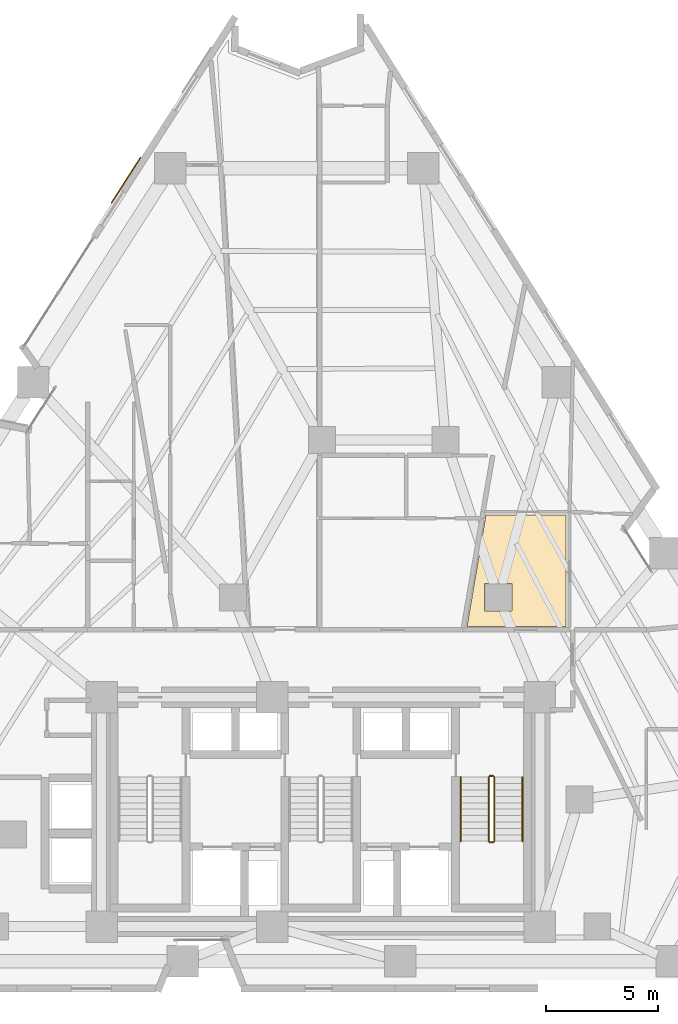
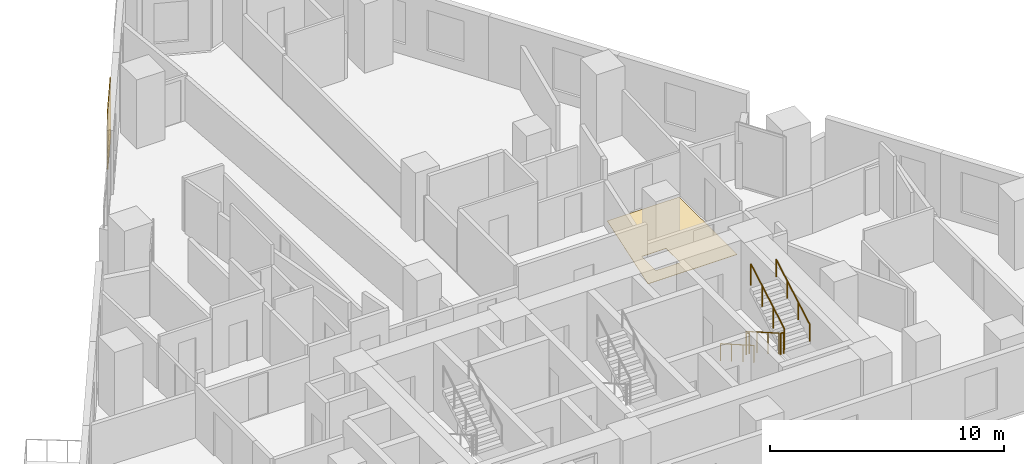
# One storey, part 13 of 14: 6 railings, 2 coverings.
"""IFC4 building model written with IfcOpenShell, lengths in metres."""

from ifc_helpers import new_model, si_unit, direction, frame, origin, origin_2d, place, context, subcontext, project, spatial, polyline, rectangle, circle, outline, extrude, material, layer, layer_set, type_object, element, save


model = new_model("IFC4")

# Units and contexts
model_context = context("Model", 3, precision=1e-05, world=origin(), true_north=direction((0.0, 1.0)))
body_context = subcontext(model_context, "Body", "Model", "MODEL_VIEW")
ifc_project = project(units=[si_unit("LENGTHUNIT", "METRE"), si_unit("AREAUNIT", "SQUARE_METRE"), si_unit("VOLUMEUNIT", "CUBIC_METRE"), si_unit("PLANEANGLEUNIT", "RADIAN"), si_unit("MASSUNIT", "GRAM", prefix="KILO")], contexts=[model_context])

# Site, building, storey
site_placement = place(None, origin())
site = spatial("IfcSite", under=ifc_project, at=site_placement, CompositionType="ELEMENT")
building_placement = place(site_placement, origin())
building = spatial("IfcBuilding", under=site, at=building_placement, Name="Almagre Mirador Tower", CompositionType="ELEMENT")
storey_placement = place(building_placement, frame((0.0, 0.0, 67.800048828125)))
storey = spatial("IfcBuildingStorey", under=building, at=storey_placement, Name="L16", CompositionType="ELEMENT", Elevation=67.800048828125)

# Coverings
ifc_material_1 = material(Name="Almagre terracotta architectural cladding", Category="masonry")
ifc_layer_1 = layer(ifc_material_1, 0.044921875)
ifc_layer_set_1 = layer_set([ifc_layer_1], Name="Almagre terracotta architectural cladding")
covering_type_1 = type_object("IfcCoveringType", Name="COV-CLAD-ALMAGRE", PredefinedType="CLADDING", material=ifc_layer_set_1)
covering_1_placement = place(storey_placement, frame((28.63525390625, 37.757568359375, 0.10009765625), z_axis=(0.0, 0.0, 1.0), x_axis=(0.539520453445, 0.841972493799, 0.0)))
element("IfcCovering", 1, at=covering_1_placement, inside=storey, type_object=covering_type_1, Name="L16 almagre terracotta pier cladding", PredefinedType="CLADDING", context=body_context, shape_type="SweptSolid", body=[
    extrude(rectangle(XDim=2.39990234375, YDim=0.044921875, at=origin_2d()), origin(), (0.0, 0.0, 1.0), 3.14990234375),
])
ifc_material_2 = material(Name="Engineered white oak flooring", Category="wood")
ifc_layer_2 = layer(ifc_material_2, 0.01806640625)
ifc_layer_set_2 = layer_set([ifc_layer_2], Name="Engineered white oak flooring")
covering_type_2 = type_object("IfcCoveringType", Name="COV-FLR-OAK-18", PredefinedType="FLOORING", material=ifc_layer_set_2)
covering_2_placement = place(storey_placement, origin())
element("IfcCovering", 2, at=covering_2_placement, inside=storey, type_object=covering_type_2, Name="L16 Unit L16-J Living and Dining Room finish flooring", PredefinedType="FLOORING", context=body_context, shape_type="SweptSolid", body=[
    extrude(outline(polyline([(44.64697265625, 22.85009765625), (48.2099609375, 22.85009765625), (48.2099609375, 17.89990234375), (43.80810546875, 17.89990234375), (44.64697265625, 22.85009765625)]), holes=[polyline([(44.594970703125, 18.594970703125), (44.594970703125, 19.804931640625), (45.804931640625, 19.804931640625), (45.804931640625, 18.594970703125), (44.594970703125, 18.594970703125)])]), origin(), (0.0, 0.0, 1.0), 0.01806640625),
])

# Railings
ifc_material_3 = material(Name="Painted galvanized steel", Category="steel")
railing_type_1 = type_object("IfcRailingType", Name="RLG-GRD-1100", PredefinedType="GUARDRAIL", material=ifc_material_3)
railing_1_placement = place(storey_placement, frame((44.77490234375, 11.199951171875, 0.16357421875)))
element("IfcRailing", 3, at=railing_1_placement, inside=storey, type_object=railing_type_1, Name="L16 ST-3 stair guard 1", PredefinedType="GUARDRAIL", context=body_context, shape_type="SweptSolid", body=[
    extrude(circle(Radius=0.02392578125, at=origin_2d()), frame((0.0, 0.0, 1.09619140625), z_axis=(0.0, -0.867194282975, 0.497969954491), x_axis=(1.0, 0.0, 0.0)), (0.0, 0.0, 1.0), 3.286376953125),
    extrude(circle(Radius=0.02099609375, at=origin_2d()), origin(), (0.0, 0.0, 1.0), 1.072021484375),
    extrude(circle(Radius=0.02099609375, at=origin_2d()), frame((0.0, -0.949951171875, 0.54541015625)), (0.0, 0.0, 1.0), 1.072021484375),
    extrude(circle(Radius=0.02099609375, at=origin_2d()), frame((0.0, -1.89990234375, 1.091064453125)), (0.0, 0.0, 1.0), 1.072021484375),
    extrude(circle(Radius=0.02099609375, at=origin_2d()), frame((0.0, -2.849853515625, 1.636474609375)), (0.0, 0.0, 1.0), 1.072021484375),
])
railing_2_placement = place(storey_placement, frame((44.824951171875, 8.300048828125, 1.800048828125)))
element("IfcRailing", 4, at=railing_2_placement, inside=storey, type_object=railing_type_1, Name="L16 ST-3 stair guard 2", PredefinedType="GUARDRAIL", context=body_context, shape_type="SweptSolid", body=[
    extrude(circle(Radius=0.02392578125, at=origin_2d()), frame((0.0, 0.0, 1.09619140625), z_axis=(1.0, 0.0, 0.0), x_axis=(0.0, 1.0, 0.0)), (0.0, 0.0, 1.0), 0.150146484375),
    extrude(circle(Radius=0.02099609375, at=origin_2d()), origin(), (0.0, 0.0, 1.0), 1.072021484375),
    extrude(circle(Radius=0.02099609375, at=origin_2d()), frame((0.150146484375, 0.0, 0.0)), (0.0, 0.0, 1.0), 1.072021484375),
])
railing_3_placement = place(storey_placement, frame((45.02490234375, 8.35009765625, 1.963623046875)))
element("IfcRailing", 5, at=railing_3_placement, inside=storey, type_object=railing_type_1, Name="L16 ST-3 stair guard 3", PredefinedType="GUARDRAIL", context=body_context, shape_type="SweptSolid", body=[
    extrude(circle(Radius=0.02392578125, at=origin_2d()), frame((0.0, 0.0, 1.09619140625), z_axis=(0.0, 0.867226363773, 0.497914082927), x_axis=(-1.0, 0.0, 0.0)), (0.0, 0.0, 1.0), 3.2861328125),
    extrude(circle(Radius=0.02099609375, at=origin_2d()), origin(), (0.0, 0.0, 1.0), 1.072021484375),
    extrude(circle(Radius=0.02099609375, at=origin_2d()), frame((0.0, 0.949951171875, 0.54541015625)), (0.0, 0.0, 1.0), 1.072021484375),
    extrude(circle(Radius=0.02099609375, at=origin_2d()), frame((0.0, 1.89990234375, 1.0908203125)), (0.0, 0.0, 1.0), 1.072021484375),
    extrude(circle(Radius=0.02099609375, at=origin_2d()), frame((0.0, 2.849853515625, 1.63623046875)), (0.0, 0.0, 1.0), 1.072021484375),
])
railing_4_placement = place(storey_placement, frame((44.824951171875, 11.25, 0.0)))
element("IfcRailing", 6, at=railing_4_placement, inside=storey, type_object=railing_type_1, Name="L16 ST-3 stair guard 4", PredefinedType="GUARDRAIL", context=body_context, shape_type="SweptSolid", body=[
    extrude(circle(Radius=0.02392578125, at=origin_2d()), frame((0.0, 0.0, 1.09619140625), z_axis=(1.0, 0.0, 0.0), x_axis=(0.0, 1.0, 0.0)), (0.0, 0.0, 1.0), 0.150146484375),
    extrude(circle(Radius=0.02099609375, at=origin_2d()), origin(), (0.0, 0.0, 1.0), 1.072021484375),
    extrude(circle(Radius=0.02099609375, at=origin_2d()), frame((0.150146484375, 0.0, 0.0)), (0.0, 0.0, 1.0), 1.072021484375),
])
ifc_material_4 = material(Name="Brushed stainless steel", Category="steel")
railing_type_2 = type_object("IfcRailingType", Name="RLG-HND-915", PredefinedType="HANDRAIL", material=ifc_material_4)
railing_5_placement = place(storey_placement, frame((43.52490234375, 11.199951171875, 0.16357421875)))
element("IfcRailing", 7, at=railing_5_placement, inside=storey, type_object=railing_type_2, Name="L16 ST-3 stair handrail 1", PredefinedType="HANDRAIL", context=body_context, shape_type="SweptSolid", body=[
    extrude(circle(Radius=0.02392578125, at=origin_2d()), frame((0.0, 0.0, 0.89111328125), z_axis=(0.0, -0.867194282975, 0.497969954491), x_axis=(1.0, 0.0, 0.0)), (0.0, 0.0, 1.0), 3.286376953125),
    extrude(circle(Radius=0.02099609375, at=origin_2d()), origin(), (0.0, 0.0, 1.0), 0.866943359375),
    extrude(circle(Radius=0.02099609375, at=origin_2d()), frame((0.0, -0.949951171875, 0.54541015625)), (0.0, 0.0, 1.0), 0.866943359375),
    extrude(circle(Radius=0.02099609375, at=origin_2d()), frame((0.0, -1.89990234375, 1.091064453125)), (0.0, 0.0, 1.0), 0.866943359375),
    extrude(circle(Radius=0.02099609375, at=origin_2d()), frame((0.0, -2.849853515625, 1.636474609375)), (0.0, 0.0, 1.0), 0.866943359375),
])
railing_6_placement = place(storey_placement, frame((46.27490234375, 8.35009765625, 1.963623046875)))
element("IfcRailing", 8, at=railing_6_placement, inside=storey, type_object=railing_type_2, Name="L16 ST-3 stair handrail 2", PredefinedType="HANDRAIL", context=body_context, shape_type="SweptSolid", body=[
    extrude(circle(Radius=0.02392578125, at=origin_2d()), frame((0.0, 0.0, 0.89111328125), z_axis=(0.0, 0.867226363773, 0.497914082927), x_axis=(-1.0, 0.0, 0.0)), (0.0, 0.0, 1.0), 3.2861328125),
    extrude(circle(Radius=0.02099609375, at=origin_2d()), origin(), (0.0, 0.0, 1.0), 0.866943359375),
    extrude(circle(Radius=0.02099609375, at=origin_2d()), frame((0.0, 0.949951171875, 0.54541015625)), (0.0, 0.0, 1.0), 0.866943359375),
    extrude(circle(Radius=0.02099609375, at=origin_2d()), frame((0.0, 1.89990234375, 1.0908203125)), (0.0, 0.0, 1.0), 0.866943359375),
    extrude(circle(Radius=0.02099609375, at=origin_2d()), frame((0.0, 2.849853515625, 1.63623046875)), (0.0, 0.0, 1.0), 0.866943359375),
])

save(model, "model.ifc")
